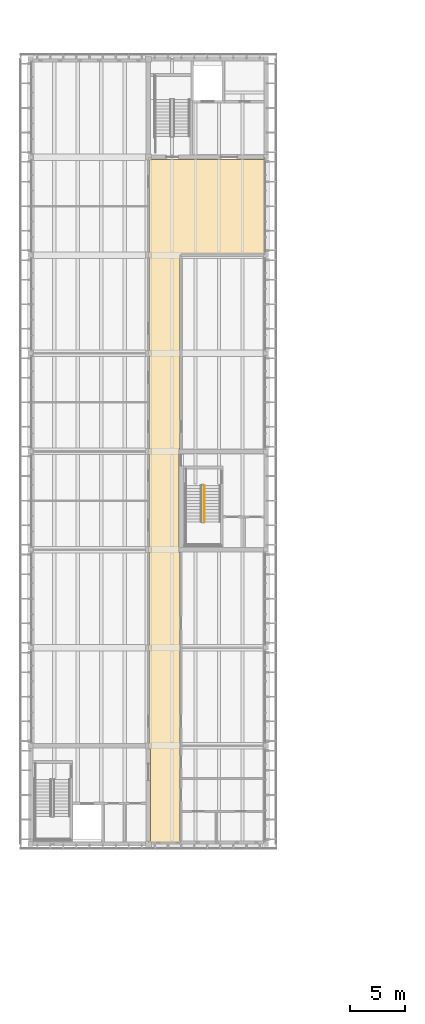
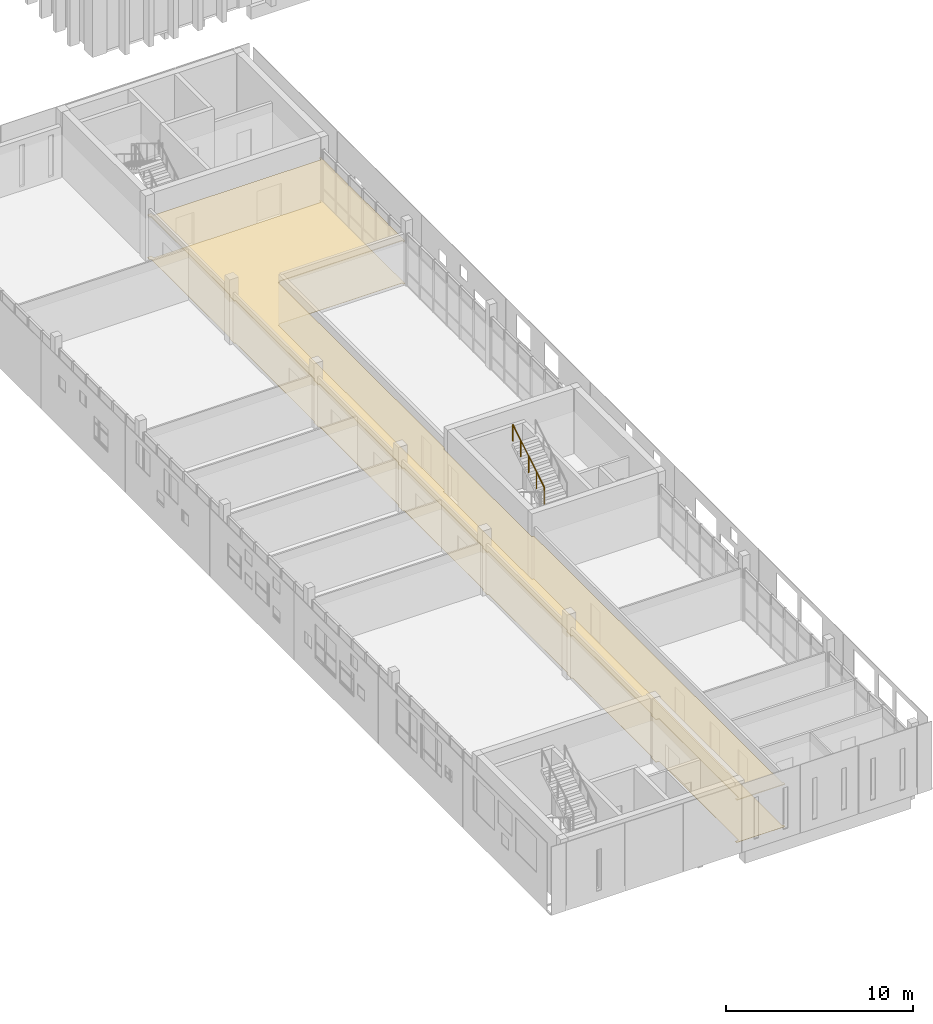
# One storey, part 44 of 50: 2 coverings, 1 railing.
"""IFC4 building model written with IfcOpenShell, lengths in metres."""

from ifc_helpers import new_model, si_unit, direction, frame, origin, origin_2d, place, context, subcontext, project, spatial, polyline, circle, outline, extrude, material, layer, layer_set, type_object, element, save


model = new_model("IFC4")

# Units and contexts
model_context = context("Model", 3, precision=1e-05, world=origin(), true_north=direction((0.0, 1.0)))
body_context = subcontext(model_context, "Body", "Model", "MODEL_VIEW")
ifc_project = project(units=[si_unit("LENGTHUNIT", "METRE"), si_unit("AREAUNIT", "SQUARE_METRE"), si_unit("VOLUMEUNIT", "CUBIC_METRE"), si_unit("PLANEANGLEUNIT", "RADIAN"), si_unit("MASSUNIT", "GRAM", prefix="KILO")], contexts=[model_context])

# Site, building, storey
site_placement = place(None, origin())
site = spatial("IfcSite", under=ifc_project, at=site_placement, CompositionType="ELEMENT")
building_placement = place(site_placement, origin())
building = spatial("IfcBuilding", under=site, at=building_placement, Name="Merrow Basin Faculty of Sciences", CompositionType="ELEMENT")
storey_placement = place(building_placement, frame((0.0, 0.0, 18.0)))
storey = spatial("IfcBuildingStorey", under=building, at=storey_placement, Name="L04", CompositionType="ELEMENT", Elevation=18.0)

# Covering
ifc_material_1 = material(Name="Polished terrazzo floor")
ifc_layer_1 = layer(ifc_material_1, 0.02001953125)
ifc_layer_set_1 = layer_set([ifc_layer_1], Name="Polished terrazzo floor")
covering_type_1 = type_object("IfcCoveringType", Name="Polished terrazzo floor", PredefinedType="FLOORING", material=ifc_layer_set_1)
covering_1_placement = place(storey_placement, origin())
element("IfcCovering", 1, at=covering_1_placement, inside=storey, type_object=covering_type_1, Name="Floor finish L04-B-027", PredefinedType="FLOORING", context=body_context, shape_type="SweptSolid", body=[
    extrude(outline(polyline([(11.06494140625, 123.989990234375), (11.06494140625, 123.7900390625), (21.385009765625, 123.7900390625), (21.385009765625, 123.989990234375), (21.489990234375, 123.989990234375), (21.489990234375, 115.010009765625), (21.385009765625, 115.010009765625), (21.385009765625, 115.110107421875), (13.7900390625, 115.110107421875), (13.7900390625, 115.010009765625), (13.68994140625, 115.010009765625), (13.68994140625, 97.2099609375), (13.590087890625, 97.2099609375), (13.590087890625, 96.800048828125), (13.590087890625, 88.2099609375), (13.590087890625, 87.7900390625), (13.715087890625, 87.7900390625), (13.715087890625, 61.2900390625), (13.7900390625, 61.2900390625), (13.7900390625, 61.110107421875), (10.81005859375, 61.110107421875), (10.81005859375, 61.264892578125), (11.010009765625, 61.264892578125), (11.010009765625, 69.735107421875), (10.81005859375, 69.735107421875), (10.81005859375, 70.264892578125), (10.885009765625, 70.264892578125), (10.885009765625, 78.735107421875), (10.81005859375, 78.735107421875), (10.81005859375, 79.264892578125), (10.885009765625, 79.264892578125), (10.885009765625, 87.735107421875), (10.81005859375, 87.735107421875), (10.81005859375, 88.264892578125), (10.885009765625, 88.264892578125), (10.885009765625, 96.735107421875), (10.81005859375, 96.735107421875), (10.81005859375, 97.264892578125), (10.885009765625, 97.264892578125), (10.885009765625, 105.735107421875), (10.81005859375, 105.735107421875), (10.81005859375, 106.264892578125), (10.885009765625, 106.264892578125), (10.885009765625, 114.735107421875), (10.81005859375, 114.735107421875), (10.81005859375, 115.264892578125), (10.885009765625, 115.264892578125), (10.885009765625, 123.735107421875), (10.81005859375, 123.735107421875), (10.81005859375, 123.989990234375), (11.06494140625, 123.989990234375)])), origin(), (0.0, 0.0, 1.0), 0.02001953125),
])

# Railing
ifc_material_2 = material(Name="Steel ASTM A36", Category="steel")
railing_type = type_object("IfcRailingType", Name="Steel guard 1100", PredefinedType="GUARDRAIL", material=ifc_material_2)
railing_placement = place(storey_placement, frame((15.949951171875, 90.5400390625, 2.423095703125)))
element("IfcRailing", 2, at=railing_placement, inside=storey, type_object=railing_type, Name="L04 ST-V4-M stair guard 5", PredefinedType="GUARDRAIL", context=body_context, shape_type="SweptSolid", body=[
    extrude(circle(Radius=0.02392578125, at=origin_2d()), frame((0.0, 0.0, 1.076171875), z_axis=(0.0, 0.850606129759, 0.525803396734), x_axis=(-1.0, 0.0, 0.0)), (0.0, 0.0, 1.0), 3.949951171875),
    extrude(circle(Radius=0.02099609375, at=origin_2d()), origin(), (0.0, 0.0, 1.0), 1.052001953125),
    extrude(circle(Radius=0.02099609375, at=origin_2d()), frame((0.0, 0.83984375, 0.519287109375)), (0.0, 0.0, 1.0), 1.052001953125),
    extrude(circle(Radius=0.02099609375, at=origin_2d()), frame((0.0, 1.679931640625, 1.03857421875)), (0.0, 0.0, 1.0), 1.052001953125),
    extrude(circle(Radius=0.02099609375, at=origin_2d()), frame((0.0, 2.52001953125, 1.5576171875)), (0.0, 0.0, 1.0), 1.052001953125),
    extrude(circle(Radius=0.02099609375, at=origin_2d()), frame((0.0, 3.35986328125, 2.076904296875)), (0.0, 0.0, 1.0), 1.052001953125),
])

# Covering
ifc_material_3 = material(Name="Mineral fibre ceiling tile")
ifc_layer_2 = layer(ifc_material_3, 0.050048828125)
ifc_layer_set_2 = layer_set([ifc_layer_2], Name="Suspended acoustic ceiling tile")
covering_type_2 = type_object("IfcCoveringType", Name="Suspended acoustic ceiling tile", PredefinedType="CEILING", material=ifc_layer_set_2)
covering_2_placement = place(storey_placement, frame((0.0, 0.0, 2.75)))
element("IfcCovering", 3, at=covering_2_placement, inside=storey, type_object=covering_type_2, Name="Ceiling L04-B-027", PredefinedType="CEILING", context=body_context, shape_type="SweptSolid", body=[
    extrude(outline(polyline([(11.06494140625, 123.989990234375), (11.06494140625, 123.7900390625), (21.385009765625, 123.7900390625), (21.385009765625, 123.989990234375), (21.489990234375, 123.989990234375), (21.489990234375, 115.010009765625), (21.385009765625, 115.010009765625), (21.385009765625, 115.110107421875), (13.7900390625, 115.110107421875), (13.7900390625, 115.010009765625), (13.68994140625, 115.010009765625), (13.68994140625, 97.2099609375), (13.590087890625, 97.2099609375), (13.590087890625, 96.800048828125), (13.590087890625, 88.2099609375), (13.590087890625, 87.7900390625), (13.715087890625, 87.7900390625), (13.715087890625, 61.2900390625), (13.7900390625, 61.2900390625), (13.7900390625, 61.110107421875), (10.81005859375, 61.110107421875), (10.81005859375, 61.264892578125), (11.010009765625, 61.264892578125), (11.010009765625, 69.735107421875), (10.81005859375, 69.735107421875), (10.81005859375, 70.264892578125), (10.885009765625, 70.264892578125), (10.885009765625, 78.735107421875), (10.81005859375, 78.735107421875), (10.81005859375, 79.264892578125), (10.885009765625, 79.264892578125), (10.885009765625, 87.735107421875), (10.81005859375, 87.735107421875), (10.81005859375, 88.264892578125), (10.885009765625, 88.264892578125), (10.885009765625, 96.735107421875), (10.81005859375, 96.735107421875), (10.81005859375, 97.264892578125), (10.885009765625, 97.264892578125), (10.885009765625, 105.735107421875), (10.81005859375, 105.735107421875), (10.81005859375, 106.264892578125), (10.885009765625, 106.264892578125), (10.885009765625, 114.735107421875), (10.81005859375, 114.735107421875), (10.81005859375, 115.264892578125), (10.885009765625, 115.264892578125), (10.885009765625, 123.735107421875), (10.81005859375, 123.735107421875), (10.81005859375, 123.989990234375), (11.06494140625, 123.989990234375)])), origin(), (0.0, 0.0, 1.0), 0.050048828125),
])

save(model, "model.ifc")
